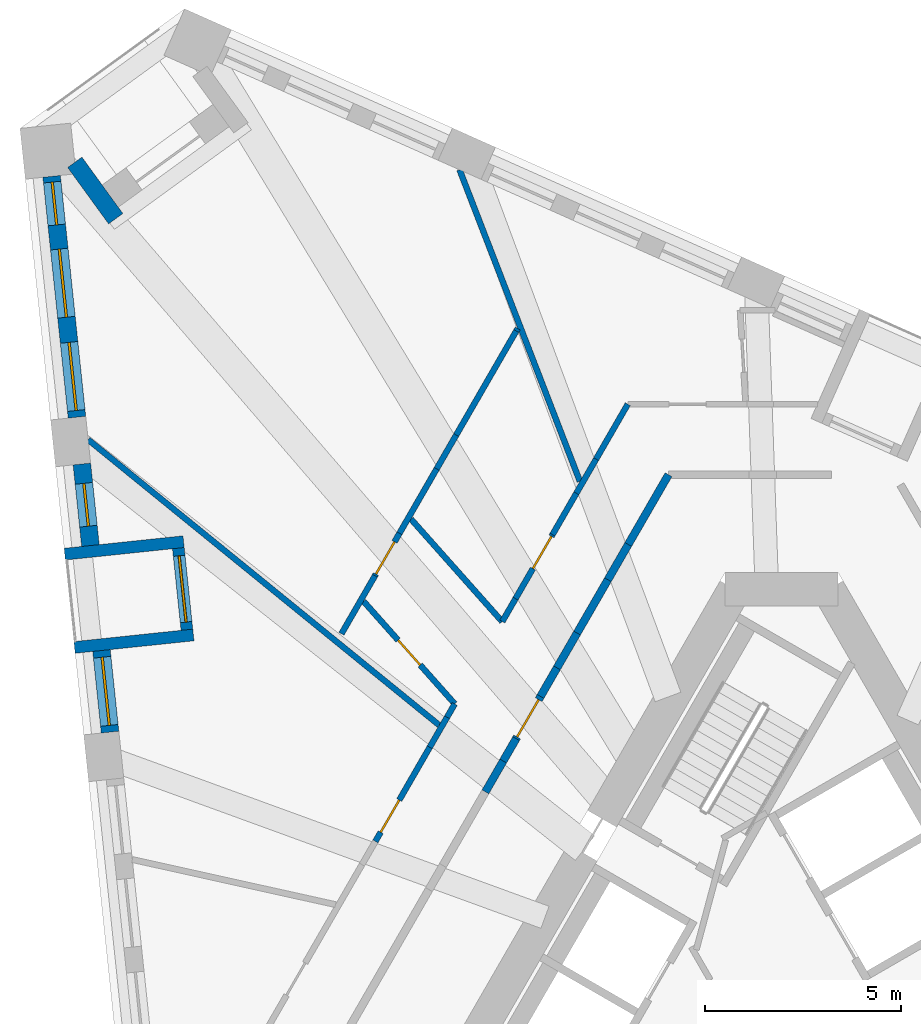
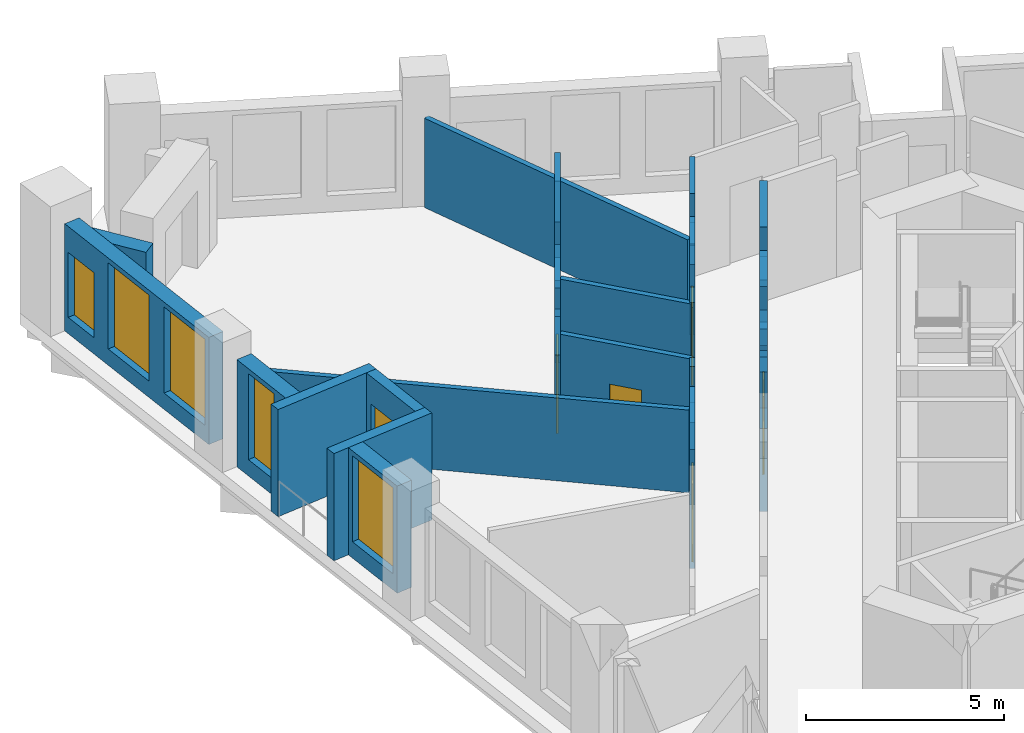
# One storey, part 7 of 14: 33 walls, 6 doors, 5 windows, 11 openings.
"""IFC4 building model written with IfcOpenShell, lengths in metres."""

from ifc_helpers import new_model, si_unit, direction, frame, frame_2d, origin, place, context, subcontext, project, spatial, polyline, rectangle, outline, extrude, material, layer, layer_set, type_object, element, fill, save


model = new_model("IFC4")

# Units and contexts
model_context = context("Model", 3, precision=1e-05, world=origin(), true_north=direction((0.0, 1.0)))
body_context = subcontext(model_context, "Body", "Model", "MODEL_VIEW")
ifc_project = project(units=[si_unit("LENGTHUNIT", "METRE"), si_unit("AREAUNIT", "SQUARE_METRE"), si_unit("VOLUMEUNIT", "CUBIC_METRE"), si_unit("PLANEANGLEUNIT", "RADIAN"), si_unit("MASSUNIT", "GRAM", prefix="KILO")], contexts=[model_context])

# Site, building, storey
site_placement = place(None, origin())
site = spatial("IfcSite", under=ifc_project, at=site_placement, CompositionType="ELEMENT")
building_placement = place(site_placement, origin())
building = spatial("IfcBuilding", under=site, at=building_placement, Name="Tramontana Tower", CompositionType="ELEMENT")
storey_placement = place(building_placement, frame((0.0, 0.0, 170.800048828125)))
storey = spatial("IfcBuildingStorey", under=building, at=storey_placement, Name="L39", CompositionType="ELEMENT", Elevation=170.800048828125)

# Walls
ifc_material_1 = material(Name="Blockwork", Category="masonry")
ifc_layer_1 = layer(ifc_material_1, 0.199951171875)
ifc_layer_set_1 = layer_set([ifc_layer_1], Name="ENTRY WALL 200")
wall_type_1 = type_object("IfcWallType", Name="ENTRY WALL 200", PredefinedType="SOLIDWALL", material=ifc_layer_set_1)
wall_1_placement = place(storey_placement, frame((-7.561279296875, 5.403564453125, 0.0), z_axis=(0.0, 0.0, 1.0), x_axis=(0.499977996243, 0.866038107287, 0.0)))
element("IfcWall", 1, at=wall_1_placement, inside=storey, type_object=wall_type_1, Name="Wall v40-ew4-5", PredefinedType="SOLIDWALL", context=body_context, shape_type="SweptSolid", body=[
    extrude(rectangle(XDim=0.90966796875, YDim=0.199951171875, at=frame_2d((0.454833984375, 0.0))), origin(), (0.0, 0.0, 1.0), 2.550048828125),
])
wall_2_placement = place(storey_placement, frame((-7.1064453125, 6.19140625, 0.0), z_axis=(0.0, 0.0, 1.0), x_axis=(0.500160401961, 0.865932775861, 0.0)))
element("IfcWall", 2, at=wall_2_placement, inside=storey, type_object=wall_type_1, Name="Wall v40-ew4-6", PredefinedType="SOLIDWALL", context=body_context, shape_type="SweptSolid", body=[
    extrude(rectangle(XDim=0.659423828125, YDim=0.199951171875, at=frame_2d((0.32958984375, 0.0))), origin(), (0.0, 0.0, 1.0), 3.64990234375),
])

# Wall, opening, door
wall_3_placement = place(storey_placement, frame((-6.776611328125, 6.762451171875, 0.0), z_axis=(0.0, 0.0, 1.0), x_axis=(0.499977039259, 0.866038659768, 0.0)))
wall_3 = element("IfcWall", 3, at=wall_3_placement, inside=storey, type_object=wall_type_1, Name="Wall v40-ew4-7", PredefinedType="SOLIDWALL", context=body_context, shape_type="SweptSolid", body=[
    extrude(outline(polyline([(0.0, 0.0), (1.2451171875, 0.0), (1.2451171875, 2.550048828125), (0.291748046875, 2.550048828125), (0.291748046875, 3.64990234375), (0.0, 3.64990234375), (0.0, 0.0)])), frame((0.0, 0.10009765625, 0.0), z_axis=(0.0, -1.0, 0.0), x_axis=(1.0, 0.0, 0.0)), (0.0, 0.0, 1.0), 0.199951171875),
])
opening_1_placement = place(wall_3_placement, frame((0.050048828125, 0.0, 0.0)))
opening_1 = element("IfcOpeningElement", 4, at=opening_1_placement, cuts=wall_3, Name="Opening B4A-22", PredefinedType="OPENING", context=body_context, shape_type="SweptSolid", body=[
    extrude(rectangle(XDim=1.10009765625, YDim=2.39990234375, at=frame_2d((0.550048828125, 1.199951171875))), frame((0.0, 0.10986328125, 0.0), z_axis=(0.0, -1.0, 0.0), x_axis=(1.0, 0.0, 0.0)), (0.0, 0.0, 1.0), 0.219970703125),
])
ifc_material_2 = material(Name="Painted timber", Category="wood")
door_type_1 = type_object("IfcDoorType", Name="DOOR ENTRY 1100", OperationType="SINGLE_SWING_LEFT", PredefinedType="DOOR", material=ifc_material_2)
door_1_placement = place(opening_1_placement, origin())
door_1 = element("IfcDoor", 5, at=door_1_placement, inside=storey, type_object=door_type_1, Name="Door B4A-22", OperationType="SINGLE_SWING_RIGHT", OverallHeight=2.39990234375, OverallWidth=1.10009765625, PredefinedType="DOOR", context=body_context, shape_type="SweptSolid", body=[
    extrude(rectangle(XDim=1.10009765625, YDim=2.39990234375, at=frame_2d((0.550048828125, 1.199951171875))), frame((0.0, 0.02490234375, 0.0), z_axis=(0.0, -1.0, 0.0), x_axis=(1.0, 0.0, 0.0)), (0.0, 0.0, 1.0), 0.050048828125),
])
fill(opening_1, door_1)

# Walls
wall_4_placement = place(storey_placement, frame((-6.154052734375, 7.8408203125, 0.0), z_axis=(0.0, 0.0, 1.0), x_axis=(0.499822960955, 0.8661275932, 0.0)))
element("IfcWall", 6, at=wall_4_placement, inside=storey, type_object=wall_type_1, Name="Wall v40-ew4-8", PredefinedType="SOLIDWALL", context=body_context, shape_type="SweptSolid", body=[
    extrude(rectangle(XDim=0.841064453125, YDim=0.199951171875, at=frame_2d((0.42041015625, 0.0))), origin(), (0.0, 0.0, 1.0), 3.64990234375),
])
wall_5_placement = place(storey_placement, frame((-5.733642578125, 8.5693359375, 0.0), z_axis=(0.0, 0.0, 1.0), x_axis=(0.500079402778, 0.865979555715, 0.0)))
element("IfcWall", 7, at=wall_5_placement, inside=storey, type_object=wall_type_1, Name="Wall v40-ew4-9", PredefinedType="SOLIDWALL", context=body_context, shape_type="SweptSolid", body=[
    extrude(rectangle(XDim=1.026123046875, YDim=0.199951171875, at=frame_2d((0.51318359375, 0.0))), origin(), (0.0, 0.0, 1.0), 2.550048828125),
])
wall_6_placement = place(storey_placement, frame((-5.220458984375, 9.4580078125, 0.0), z_axis=(0.0, 0.0, 1.0), x_axis=(0.500031717574, 0.86600709086, 0.0)))
element("IfcWall", 8, at=wall_6_placement, inside=storey, type_object=wall_type_1, Name="Wall v40-ew4-10", PredefinedType="SOLIDWALL", context=body_context, shape_type="SweptSolid", body=[
    extrude(rectangle(XDim=1.57177734375, YDim=0.199951171875, at=frame_2d((0.785888671875, 0.0))), origin(), (0.0, 0.0, 1.0), 3.64990234375),
])
wall_7_placement = place(storey_placement, frame((-4.4345703125, 10.819091796875, 0.0), z_axis=(0.0, 0.0, 1.0), x_axis=(0.500054530113, 0.86599391852, 0.0)))
element("IfcWall", 9, at=wall_7_placement, inside=storey, type_object=wall_type_1, Name="Wall v40-ew4-11", PredefinedType="SOLIDWALL", context=body_context, shape_type="SweptSolid", body=[
    extrude(rectangle(XDim=1.03955078125, YDim=0.199951171875, at=frame_2d((0.519775390625, 0.0))), origin(), (0.0, 0.0, 1.0), 2.75),
])
wall_8_placement = place(storey_placement, frame((-3.914794921875, 11.71923828125, 0.0), z_axis=(0.0, 0.0, 1.0), x_axis=(0.499982825521, 0.866035319247, 0.0)))
element("IfcWall", 10, at=wall_8_placement, inside=storey, type_object=wall_type_1, Name="Wall v40-ew4-12", PredefinedType="SOLIDWALL", context=body_context, shape_type="SweptSolid", body=[
    extrude(rectangle(XDim=2.05615234375, YDim=0.199951171875, at=frame_2d((1.028076171875, 0.0))), origin(), (0.0, 0.0, 1.0), 3.64990234375),
])

# Wall, openings, windows
ifc_material_3 = material(Name="Precast concrete 60 MPa", Category="concrete")
ifc_layer_2 = layer(ifc_material_3, 0.449951171875)
ifc_layer_set_2 = layer_set([ifc_layer_2], Name="Precast concrete 60 MPa, 450 mm")
wall_type_2 = type_object("IfcWallType", Name="EW1 Stone-faced precast wall 450", PredefinedType="SOLIDWALL", material=ifc_layer_set_2)
wall_9_placement = place(storey_placement, frame((-18.63427734375, 21.116455078125, 0.0), z_axis=(0.0, 0.0, 1.0), x_axis=(0.104522399115, -0.994522532718, 0.0)))
wall_9 = element("IfcWall", 11, at=wall_9_placement, inside=storey, type_object=wall_type_2, Name="External wall L39 face 0 bay 1", PredefinedType="SOLIDWALL", context=body_context, shape_type="SweptSolid", body=[
    extrude(rectangle(XDim=6.182861328125, YDim=0.449951171875, at=frame_2d((3.09130859375, 0.0))), origin(), (0.0, 0.0, 1.0), 3.300048828125),
])
opening_2_placement = place(wall_9_placement, frame((0.147216796875, 0.0, 0.5)))
opening_2 = element("IfcOpeningElement", 12, at=opening_2_placement, cuts=wall_9, Name="Opening N2L", PredefinedType="OPENING", context=body_context, shape_type="SweptSolid", body=[
    extrude(rectangle(XDim=1.10009765625, YDim=2.0, at=frame_2d((0.550048828125, 1.0))), frame((0.0, 0.23486328125, 0.0), z_axis=(0.0, -1.0, 0.0), x_axis=(1.0, 0.0, 0.0)), (0.0, 0.0, 1.0), 0.469970703125),
])
opening_3_placement = place(wall_9_placement, frame((1.866455078125, 0.0, 0.5)))
opening_3 = element("IfcOpeningElement", 13, at=opening_3_placement, cuts=wall_9, Name="Opening M2", PredefinedType="OPENING", context=body_context, shape_type="SweptSolid", body=[
    extrude(rectangle(XDim=1.75, YDim=2.64990234375, at=frame_2d((0.875, 1.324951171875))), frame((0.0, 0.23486328125, 0.0), z_axis=(0.0, -1.0, 0.0), x_axis=(1.0, 0.0, 0.0)), (0.0, 0.0, 1.0), 0.469970703125),
])
opening_4_placement = place(wall_9_placement, frame((4.2607421875, 0.0, 0.5)))
opening_4 = element("IfcOpeningElement", 14, at=opening_4_placement, cuts=wall_9, Name="Opening M2", PredefinedType="OPENING", context=body_context, shape_type="SweptSolid", body=[
    extrude(rectangle(XDim=1.75, YDim=2.64990234375, at=frame_2d((0.875, 1.324951171875))), frame((0.0, 0.23486328125, 0.0), z_axis=(0.0, -1.0, 0.0), x_axis=(1.0, 0.0, 0.0)), (0.0, 0.0, 1.0), 0.469970703125),
])
ifc_material_4 = material(Name="Aluminum frame, double glazing unit", Category="aluminium")
window_type_1 = type_object("IfcWindowType", Name="M2 Window 1.75 x 2.65", PartitioningType="SINGLE_PANEL", PredefinedType="WINDOW", material=ifc_material_4)
window_1_placement = place(opening_3_placement, origin())
window_1 = element("IfcWindow", 15, at=window_1_placement, inside=storey, type_object=window_type_1, Name="Window M2 L39 face 0 module 2", OverallHeight=2.64990234375, OverallWidth=1.75, PartitioningType="SINGLE_PANEL", PredefinedType="WINDOW", context=body_context, shape_type="SweptSolid", body=[
    extrude(rectangle(XDim=1.75, YDim=2.64990234375, at=frame_2d((0.875, 1.324951171875))), frame((0.0, 0.030029296875, 0.0), z_axis=(0.0, -1.0, 0.0), x_axis=(1.0, 0.0, 0.0)), (0.0, 0.0, 1.0), 0.06005859375),
])
fill(opening_3, window_1)
window_2_placement = place(opening_4_placement, origin())
window_2 = element("IfcWindow", 16, at=window_2_placement, inside=storey, type_object=window_type_1, Name="Window M2 L39 face 0 module 3", OverallHeight=2.64990234375, OverallWidth=1.75, PartitioningType="SINGLE_PANEL", PredefinedType="WINDOW", context=body_context, shape_type="SweptSolid", body=[
    extrude(rectangle(XDim=1.75, YDim=2.64990234375, at=frame_2d((0.875, 1.324951171875))), frame((0.0, 0.030029296875, 0.0), z_axis=(0.0, -1.0, 0.0), x_axis=(1.0, 0.0, 0.0)), (0.0, 0.0, 1.0), 0.06005859375),
])
fill(opening_4, window_2)
ifc_material_5 = material(Name="Aluminum frame, double glazing unit", Category="aluminium")
window_type_2 = type_object("IfcWindowType", Name="N2L Window 1.1 x 2", PartitioningType="SINGLE_PANEL", PredefinedType="WINDOW", material=ifc_material_5)
window_3_placement = place(opening_2_placement, origin())
window_3 = element("IfcWindow", 17, at=window_3_placement, inside=storey, type_object=window_type_2, Name="Window N2L L39 face 0 module 1", OverallHeight=2.0, OverallWidth=1.10009765625, PartitioningType="SINGLE_PANEL", PredefinedType="WINDOW", context=body_context, shape_type="SweptSolid", body=[
    extrude(rectangle(XDim=1.10009765625, YDim=2.0, at=frame_2d((0.550048828125, 1.0))), frame((0.0, 0.030029296875, 0.0), z_axis=(0.0, -1.0, 0.0), x_axis=(1.0, 0.0, 0.0)), (0.0, 0.0, 1.0), 0.06005859375),
])
fill(opening_2, window_3)

# Wall, opening, window
wall_10_placement = place(storey_placement, frame((-17.862548828125, 13.774169921875, 0.0), z_axis=(0.0, 0.0, 1.0), x_axis=(0.104442071108, -0.994530971756, 0.0)))
wall_10 = element("IfcWall", 18, at=wall_10_placement, inside=storey, type_object=wall_type_2, Name="External wall L39 face 0 bay 2", PredefinedType="SOLIDWALL", context=body_context, shape_type="SweptSolid", body=[
    extrude(rectangle(XDim=2.094482421875, YDim=0.449951171875, at=frame_2d((1.04736328125, 0.0))), origin(), (0.0, 0.0, 1.0), 3.300048828125),
])
opening_5_placement = place(wall_10_placement, frame((0.4970703125, 0.0, 0.5)))
opening_5 = element("IfcOpeningElement", 19, at=opening_5_placement, cuts=wall_10, Name="Opening N2", PredefinedType="OPENING", context=body_context, shape_type="SweptSolid", body=[
    extrude(rectangle(XDim=1.10009765625, YDim=2.64990234375, at=frame_2d((0.550048828125, 1.324951171875))), frame((0.0, 0.23486328125, 0.0), z_axis=(0.0, -1.0, 0.0), x_axis=(1.0, 0.0, 0.0)), (0.0, 0.0, 1.0), 0.469970703125),
])
ifc_material_6 = material(Name="Aluminum frame, double glazing unit", Category="aluminium")
window_type_3 = type_object("IfcWindowType", Name="N2 Window 1.1 x 2.65", PartitioningType="SINGLE_PANEL", PredefinedType="WINDOW", material=ifc_material_6)
window_4_placement = place(opening_5_placement, origin())
window_4 = element("IfcWindow", 20, at=window_4_placement, inside=storey, type_object=window_type_3, Name="Window N2 L39 face 0 module 4", OverallHeight=2.64990234375, OverallWidth=1.10009765625, PartitioningType="SINGLE_PANEL", PredefinedType="WINDOW", context=body_context, shape_type="SweptSolid", body=[
    extrude(rectangle(XDim=1.10009765625, YDim=2.64990234375, at=frame_2d((0.550048828125, 1.324951171875))), frame((0.0, 0.030029296875, 0.0), z_axis=(0.0, -1.0, 0.0), x_axis=(1.0, 0.0, 0.0)), (0.0, 0.0, 1.0), 0.06005859375),
])
fill(opening_5, window_4)

wall_11_placement = place(storey_placement, frame((-17.362060546875, 9.01171875, 0.0), z_axis=(0.0, 0.0, 1.0), x_axis=(0.104569484464, -0.994517583011, 0.0)))
wall_11 = element("IfcWall", 21, at=wall_11_placement, inside=storey, type_object=wall_type_2, Name="External wall L39 face 0 bay 2", PredefinedType="SOLIDWALL", context=body_context, shape_type="SweptSolid", body=[
    extrude(rectangle(XDim=2.09423828125, YDim=0.449951171875, at=frame_2d((1.047119140625, 0.0))), origin(), (0.0, 0.0, 1.0), 3.300048828125),
])
opening_6_placement = place(wall_11_placement, frame((0.172119140625, 0.0, 0.5)))
opening_6 = element("IfcOpeningElement", 22, at=opening_6_placement, cuts=wall_11, Name="Opening M2", PredefinedType="OPENING", context=body_context, shape_type="SweptSolid", body=[
    extrude(rectangle(XDim=1.75, YDim=2.64990234375, at=frame_2d((0.875, 1.324951171875))), frame((0.0, 0.23486328125, 0.0), z_axis=(0.0, -1.0, 0.0), x_axis=(1.0, 0.0, 0.0)), (0.0, 0.0, 1.0), 0.469970703125),
])
window_5_placement = place(opening_6_placement, origin())
window_5 = element("IfcWindow", 23, at=window_5_placement, inside=storey, type_object=window_type_1, Name="Window M2 L39 face 0 module 6", OverallHeight=2.64990234375, OverallWidth=1.75, PartitioningType="SINGLE_PANEL", PredefinedType="WINDOW", context=body_context, shape_type="SweptSolid", body=[
    extrude(rectangle(XDim=1.75, YDim=2.64990234375, at=frame_2d((0.875, 1.324951171875))), frame((0.0, 0.030029296875, 0.0), z_axis=(0.0, -1.0, 0.0), x_axis=(1.0, 0.0, 0.0)), (0.0, 0.0, 1.0), 0.06005859375),
])
fill(opening_6, window_5)

# Wall
wall_12_placement = place(storey_placement, frame((-18.04345703125, 21.474853515625, 0.0), z_axis=(0.0, 0.0, 1.0), x_axis=(0.587722853316, -0.809062326209, 0.0)))
element("IfcWall", 24, at=wall_12_placement, inside=storey, type_object=wall_type_2, Name="Corner loggia side wall L39 K40l", PredefinedType="SOLIDWALL", context=body_context, shape_type="SweptSolid", body=[
    extrude(rectangle(XDim=1.779052734375, YDim=0.449951171875, at=frame_2d((0.8896484375, 0.0))), origin(), (0.0, 0.0, 1.0), 2.550048828125),
])

# Wall, opening, door
ifc_material_7 = material(Name="Precast concrete 60 MPa", Category="concrete")
ifc_layer_3 = layer(ifc_material_7, 0.300048828125)
ifc_layer_set_3 = layer_set([ifc_layer_3], Name="LW1 Stone-faced loggia wall 300")
wall_type_3 = type_object("IfcWallType", Name="LW1 Stone-faced loggia wall 300", PredefinedType="SOLIDWALL", material=ifc_layer_set_3)
wall_13_placement = place(storey_placement, frame((-15.399658203125, 11.62548828125, 0.0), z_axis=(0.0, 0.0, 1.0), x_axis=(0.104569484464, -0.994517583011, 0.0)))
wall_13 = element("IfcWall", 25, at=wall_13_placement, inside=storey, type_object=wall_type_3, Name="Loggia wall L39 G4S0.4", PredefinedType="SOLIDWALL", context=body_context, shape_type="SweptSolid", body=[
    extrude(rectangle(XDim=2.09423828125, YDim=0.300048828125, at=frame_2d((1.047119140625, 0.0))), origin(), (0.0, 0.0, 1.0), 3.300048828125),
])
opening_7_placement = place(wall_13_placement, frame((0.197265625, 0.0, 0.0)))
opening_7 = element("IfcOpeningElement", 26, at=opening_7_placement, cuts=wall_13, Name="Opening BD-4S0-04", PredefinedType="OPENING", context=body_context, shape_type="SweptSolid", body=[
    extrude(rectangle(XDim=1.699951171875, YDim=2.449951171875, at=frame_2d((0.85009765625, 1.22509765625))), frame((0.0, 0.159912109375, 0.0), z_axis=(0.0, -1.0, 0.0), x_axis=(1.0, 0.0, 0.0)), (0.0, 0.0, 1.0), 0.320068359375),
])
ifc_material_8 = material(Name="Aluminum frame, double glazing unit", Category="aluminium")
door_type_2 = type_object("IfcDoorType", Name="BD2 Sliding door 1.7 x 2.45", OperationType="SLIDING_TO_LEFT", PredefinedType="DOOR", material=ifc_material_8)
door_2_placement = place(opening_7_placement, origin())
door_2 = element("IfcDoor", 27, at=door_2_placement, inside=storey, type_object=door_type_2, Name="Loggia door L39 G4S0.4", OperationType="SLIDING_TO_LEFT", OverallHeight=2.449951171875, OverallWidth=1.699951171875, PredefinedType="DOOR", context=body_context, shape_type="SweptSolid", body=[
    extrude(rectangle(XDim=1.699951171875, YDim=2.449951171875, at=frame_2d((0.85009765625, 1.22509765625))), frame((0.0, 0.02490234375, 0.0), z_axis=(0.0, -1.0, 0.0), x_axis=(1.0, 0.0, 0.0)), (0.0, 0.0, 1.0), 0.050048828125),
])
fill(opening_7, door_2)

# Walls
for number, where, z_axis, x_axis, name in (
    (28, (-18.29931640625, 11.471435546875, 0.0), (0.0, 0.0, 1.0), (0.994520355942, 0.104543108891, 0.0), "Loggia return L39 G4S0.4a"),
    (29, (-18.049072265625, 9.09033203125, 0.0), (0.0, 0.0, 1.0), (0.994520355942, 0.104543108891, 0.0), "Loggia return L39 G4S0.4b"),
):
    element("IfcWall", number, at=place(storey_placement, frame(where, z_axis=z_axis, x_axis=x_axis)), inside=storey, type_object=wall_type_3, Name=name, PredefinedType="SOLIDWALL", context=body_context, shape_type="SweptSolid", body=[
        extrude(rectangle(XDim=3.0498046875, YDim=0.300048828125, at=frame_2d((1.52490234375, 0.0))), origin(), (0.0, 0.0, 1.0), 3.300048828125),
    ])

# Wall, opening, door
ifc_material_9 = material(Name="Gypsum board partition")
ifc_layer_4 = layer(ifc_material_9, 0.14990234375)
ifc_layer_set_4 = layer_set([ifc_layer_4], Name="PARTITION 150")
wall_type_4 = type_object("IfcWallType", Name="PARTITION 150", PredefinedType="PARTITIONING", material=ifc_layer_set_4)
wall_14_placement = place(storey_placement, frame((-10.369384765625, 4.1396484375, 0.0), z_axis=(0.0, 0.0, 1.0), x_axis=(0.50000932403, 0.866020020486, 0.0)))
wall_14 = element("IfcWall", 30, at=wall_14_placement, inside=storey, type_object=wall_type_4, Name="Wall v40-pw03-3", PredefinedType="PARTITIONING", context=body_context, shape_type="SweptSolid", body=[
    extrude(rectangle(XDim=2.77490234375, YDim=0.14990234375, at=frame_2d((1.387451171875, 0.0))), origin(), (0.0, 0.0, 1.0), 3.64990234375),
])
opening_8_placement = place(wall_14_placement, frame((0.269775390625, 0.0, 0.0)))
opening_8 = element("IfcOpeningElement", 31, at=opening_8_placement, cuts=wall_14, Name="Opening B4A-05", PredefinedType="OPENING", context=body_context, shape_type="SweptSolid", body=[
    extrude(rectangle(XDim=0.949951171875, YDim=2.39990234375, at=frame_2d((0.47509765625, 1.199951171875))), frame((0.0, 0.0849609375, 0.0), z_axis=(0.0, -1.0, 0.0), x_axis=(1.0, 0.0, 0.0)), (0.0, 0.0, 1.0), 0.169921875),
])
ifc_material_10 = material(Name="Painted timber", Category="wood")
door_type_3 = type_object("IfcDoorType", Name="DOOR ROOM 950", OperationType="SINGLE_SWING_LEFT", PredefinedType="DOOR", material=ifc_material_10)
door_3_placement = place(opening_8_placement, origin())
door_3 = element("IfcDoor", 32, at=door_3_placement, inside=storey, type_object=door_type_3, Name="Door B4A-05", OperationType="SINGLE_SWING_LEFT", OverallHeight=2.39990234375, OverallWidth=0.949951171875, PredefinedType="DOOR", context=body_context, shape_type="SweptSolid", body=[
    extrude(rectangle(XDim=0.949951171875, YDim=2.39990234375, at=frame_2d((0.47509765625, 1.199951171875))), frame((0.0, 0.02490234375, 0.0), z_axis=(0.0, -1.0, 0.0), x_axis=(1.0, 0.0, 0.0)), (0.0, 0.0, 1.0), 0.050048828125),
])
fill(opening_8, door_3)

# Walls
wall_15_placement = place(storey_placement, frame((-8.98193359375, 6.542724609375, 0.0), z_axis=(0.0, 0.0, 1.0), x_axis=(0.499969398072, 0.866043071095, 0.0)))
element("IfcWall", 33, at=wall_15_placement, inside=storey, type_object=wall_type_4, Name="Wall v40-pw03-4", PredefinedType="PARTITIONING", context=body_context, shape_type="SweptSolid", body=[
    extrude(rectangle(XDim=0.88427734375, YDim=0.14990234375, at=frame_2d((0.442138671875, 0.0))), origin(), (0.0, 0.0, 1.0), 2.550048828125),
])
wall_16_placement = place(storey_placement, frame((-8.539794921875, 7.30859375, 0.0), z_axis=(0.0, 0.0, 1.0), x_axis=(0.499758416753, 0.866164837017, 0.0)))
element("IfcWall", 34, at=wall_16_placement, inside=storey, type_object=wall_type_4, Name="Wall v40-pw03-5", PredefinedType="PARTITIONING", context=body_context, shape_type="SweptSolid", body=[
    extrude(rectangle(XDim=0.391845703125, YDim=0.14990234375, at=frame_2d((0.19580078125, 0.0))), origin(), (0.0, 0.0, 1.0), 3.64990234375),
])
wall_17_placement = place(storey_placement, frame((-11.2353515625, 9.439697265625, 0.0), z_axis=(0.0, 0.0, 1.0), x_axis=(0.499977863513, 0.866038183914, 0.0)))
element("IfcWall", 35, at=wall_17_placement, inside=storey, type_object=wall_type_4, Name="Wall v40-pw06-1", PredefinedType="PARTITIONING", context=body_context, shape_type="SweptSolid", body=[
    extrude(rectangle(XDim=1.7099609375, YDim=0.14990234375, at=frame_2d((0.85498046875, 0.0))), origin(), (0.0, 0.0, 1.0), 3.64990234375),
])

# Wall, opening, door
wall_18_placement = place(storey_placement, frame((-10.38037109375, 10.920654296875, 0.0), z_axis=(0.0, 0.0, 1.0), x_axis=(0.499998165157, 0.866026463129, 0.0)))
wall_18 = element("IfcWall", 36, at=wall_18_placement, inside=storey, type_object=wall_type_4, Name="Wall v40-pw06-2", PredefinedType="PARTITIONING", context=body_context, shape_type="SweptSolid", body=[
    extrude(outline(polyline([(0.0, 0.0), (1.251953125, 0.0), (1.252197265625, 2.550048828125), (0.3251953125, 2.550048828125), (0.3251953125, 3.64990234375), (0.0, 3.64990234375), (0.0, 0.0)])), frame((0.0, 0.074951171875, 0.0), z_axis=(0.0, -1.0, 0.0), x_axis=(1.0, 0.0, 0.0)), (0.0, 0.0, 1.0), 0.14990234375),
])
opening_9_placement = place(wall_18_placement, frame((0.050048828125, 0.0, 0.0)))
opening_9 = element("IfcOpeningElement", 37, at=opening_9_placement, cuts=wall_18, Name="Opening B4A-03", PredefinedType="OPENING", context=body_context, shape_type="SweptSolid", body=[
    extrude(rectangle(XDim=0.949951171875, YDim=2.39990234375, at=frame_2d((0.47509765625, 1.199951171875))), frame((0.0, 0.0849609375, 0.0), z_axis=(0.0, -1.0, 0.0), x_axis=(1.0, 0.0, 0.0)), (0.0, 0.0, 1.0), 0.169921875),
])
door_4_placement = place(opening_9_placement, origin())
door_4 = element("IfcDoor", 38, at=door_4_placement, inside=storey, type_object=door_type_3, Name="Door B4A-03", OperationType="SINGLE_SWING_LEFT", OverallHeight=2.39990234375, OverallWidth=0.949951171875, PredefinedType="DOOR", context=body_context, shape_type="SweptSolid", body=[
    extrude(rectangle(XDim=0.949951171875, YDim=2.39990234375, at=frame_2d((0.47509765625, 1.199951171875))), frame((0.0, 0.02490234375, 0.0), z_axis=(0.0, -1.0, 0.0), x_axis=(1.0, 0.0, 0.0)), (0.0, 0.0, 1.0), 0.050048828125),
])
fill(opening_9, door_4)

# Walls
wall_19_placement = place(storey_placement, frame((-9.75439453125, 12.0048828125, 0.0), z_axis=(0.0, 0.0, 1.0), x_axis=(0.499971120268, 0.866042076863, 0.0)))
element("IfcWall", 39, at=wall_19_placement, inside=storey, type_object=wall_type_4, Name="Wall v40-pw06-3", PredefinedType="PARTITIONING", context=body_context, shape_type="SweptSolid", body=[
    extrude(rectangle(XDim=1.89794921875, YDim=0.14990234375, at=frame_2d((0.948974609375, 0.0))), origin(), (0.0, 0.0, 1.0), 3.64990234375),
])
wall_20_placement = place(storey_placement, frame((-8.805419921875, 13.648681640625, 0.0), z_axis=(0.0, 0.0, 1.0), x_axis=(0.499955472713, 0.866051110099, 0.0)))
element("IfcWall", 40, at=wall_20_placement, inside=storey, type_object=wall_type_4, Name="Wall v40-pw06-4", PredefinedType="PARTITIONING", context=body_context, shape_type="SweptSolid", body=[
    extrude(rectangle(XDim=0.99755859375, YDim=0.14990234375, at=frame_2d((0.498779296875, 0.0))), origin(), (0.0, 0.0, 1.0), 2.550048828125),
])
wall_21_placement = place(storey_placement, frame((-8.306640625, 14.5126953125, 0.0), z_axis=(0.0, 0.0, 1.0), x_axis=(0.500034855457, 0.866005279042, 0.0)))
element("IfcWall", 41, at=wall_21_placement, inside=storey, type_object=wall_type_4, Name="Wall v40-pw06-5", PredefinedType="PARTITIONING", context=body_context, shape_type="SweptSolid", body=[
    extrude(rectangle(XDim=3.066650390625, YDim=0.14990234375, at=frame_2d((1.533203125, 0.0))), origin(), (0.0, 0.0, 1.0), 3.64990234375),
])
wall_22_placement = place(storey_placement, frame((-6.773193359375, 17.16845703125, 0.0), z_axis=(0.0, 0.0, 1.0), x_axis=(0.501423782413, 0.865201820635, 0.0)))
element("IfcWall", 42, at=wall_22_placement, inside=storey, type_object=wall_type_4, Name="Wall v40-pw06-6", PredefinedType="PARTITIONING", context=body_context, shape_type="SweptSolid", body=[
    extrude(rectangle(XDim=0.074462890625, YDim=0.14990234375, at=frame_2d((0.037109375, 0.0))), origin(), (0.0, 0.0, 1.0), 2.75),
])
wall_23_placement = place(storey_placement, frame((-9.459228515625, 12.36572265625, 0.0), z_axis=(0.0, 0.0, 1.0), x_axis=(0.664589031093, -0.747209087037, 0.0)))
element("IfcWall", 43, at=wall_23_placement, inside=storey, type_object=wall_type_4, Name="Wall v40-pw09", PredefinedType="PARTITIONING", context=body_context, shape_type="SweptSolid", body=[
    extrude(rectangle(XDim=3.498779296875, YDim=0.14990234375, at=frame_2d((1.74951171875, 0.0))), origin(), (0.0, 0.0, 1.0), 3.64990234375),
])
wall_24_placement = place(storey_placement, frame((-8.741943359375, 7.108642578125, 0.0), z_axis=(0.0, 0.0, 1.0), x_axis=(-0.775864969599, 0.630899000593, 0.0)))
element("IfcWall", 44, at=wall_24_placement, inside=storey, type_object=wall_type_4, Name="Wall v40-pw10-0", PredefinedType="PARTITIONING", context=body_context, shape_type="SweptSolid", body=[
    extrude(rectangle(XDim=11.548095703125, YDim=0.14990234375, at=frame_2d((5.77392578125, 0.0))), origin(), (0.0, 0.0, 1.0), 2.550048828125),
])

# Wall, opening, door
wall_25_placement = place(storey_placement, frame((-8.34423828125, 7.6513671875, 0.0), z_axis=(0.0, 0.0, 1.0), x_axis=(-0.664580231794, 0.747216913292, 0.0)))
wall_25 = element("IfcWall", 45, at=wall_25_placement, inside=storey, type_object=wall_type_4, Name="Wall v40-pw11", PredefinedType="PARTITIONING", context=body_context, shape_type="SweptSolid", body=[
    extrude(rectangle(XDim=3.5009765625, YDim=0.14990234375, at=frame_2d((1.75048828125, 0.0))), origin(), (0.0, 0.0, 1.0), 3.64990234375),
])
opening_10_placement = place(wall_25_placement, frame((1.325439453125, 0.0, 0.0)))
opening_10 = element("IfcOpeningElement", 46, at=opening_10_placement, cuts=wall_25, Name="Opening B4A-02", PredefinedType="OPENING", context=body_context, shape_type="SweptSolid", body=[
    extrude(rectangle(XDim=0.85009765625, YDim=2.39990234375, at=frame_2d((0.425048828125, 1.199951171875))), frame((0.0, 0.0849609375, 0.0), z_axis=(0.0, -1.0, 0.0), x_axis=(1.0, 0.0, 0.0)), (0.0, 0.0, 1.0), 0.169921875),
])
ifc_material_11 = material(Name="Painted timber", Category="wood")
door_type_4 = type_object("IfcDoorType", Name="DOOR BATH 850", OperationType="SINGLE_SWING_LEFT", PredefinedType="DOOR", material=ifc_material_11)
door_5_placement = place(opening_10_placement, origin())
door_5 = element("IfcDoor", 47, at=door_5_placement, inside=storey, type_object=door_type_4, Name="Door B4A-02", OperationType="SINGLE_SWING_RIGHT", OverallHeight=2.39990234375, OverallWidth=0.85009765625, PredefinedType="DOOR", context=body_context, shape_type="SweptSolid", body=[
    extrude(rectangle(XDim=0.85009765625, YDim=2.39990234375, at=frame_2d((0.425048828125, 1.199951171875))), frame((0.0, 0.02490234375, 0.0), z_axis=(0.0, -1.0, 0.0), x_axis=(1.0, 0.0, 0.0)), (0.0, 0.0, 1.0), 0.050048828125),
])
fill(opening_10, door_5)

# Walls
wall_26_placement = place(storey_placement, frame((-8.2197265625, 21.283203125, 0.0), z_axis=(0.0, 0.0, 1.0), x_axis=(0.360262770677, -0.932850864857, 0.0)))
element("IfcWall", 48, at=wall_26_placement, inside=storey, type_object=wall_type_4, Name="Wall v40-pw12-0", PredefinedType="PARTITIONING", context=body_context, shape_type="SweptSolid", body=[
    extrude(rectangle(XDim=8.523681640625, YDim=0.14990234375, at=frame_2d((4.26171875, 0.0))), origin(), (0.0, 0.0, 1.0), 2.75),
])
wall_27_placement = place(storey_placement, frame((-7.129150390625, 9.751953125, 0.0), z_axis=(0.0, 0.0, 1.0), x_axis=(0.500036104519, 0.866004557827, 0.0)))
element("IfcWall", 49, at=wall_27_placement, inside=storey, type_object=wall_type_4, Name="Wall v40-pw13-0", PredefinedType="PARTITIONING", context=body_context, shape_type="SweptSolid", body=[
    extrude(rectangle(XDim=0.673828125, YDim=0.14990234375, at=frame_2d((0.3369140625, 0.0))), origin(), (0.0, 0.0, 1.0), 3.64990234375),
])

# Wall, opening, door
wall_28_placement = place(storey_placement, frame((-6.792236328125, 10.33544921875, 0.0), z_axis=(0.0, 0.0, 1.0), x_axis=(0.499991068497, 0.866030560329, 0.0)))
wall_28 = element("IfcWall", 50, at=wall_28_placement, inside=storey, type_object=wall_type_4, Name="Wall v40-pw13-1", PredefinedType="PARTITIONING", context=body_context, shape_type="SweptSolid", body=[
    extrude(outline(polyline([(0.0, 0.0), (1.88818359375, 0.0), (1.887939453125, 3.64990234375), (0.997802734375, 3.64990234375), (0.997802734375, 2.550048828125), (0.0, 2.550048828125), (0.0, 0.0)])), frame((0.0, 0.074951171875, 0.0), z_axis=(0.0, -1.0, 0.0), x_axis=(1.0, 0.0, 0.0)), (0.0, 0.0, 1.0), 0.14990234375),
])
opening_11_placement = place(wall_28_placement, frame((0.887939453125, 0.0, 0.0)))
opening_11 = element("IfcOpeningElement", 51, at=opening_11_placement, cuts=wall_28, Name="Opening B4A-01", PredefinedType="OPENING", context=body_context, shape_type="SweptSolid", body=[
    extrude(rectangle(XDim=0.949951171875, YDim=2.39990234375, at=frame_2d((0.47509765625, 1.199951171875))), frame((0.0, 0.0849609375, 0.0), z_axis=(0.0, -1.0, 0.0), x_axis=(1.0, 0.0, 0.0)), (0.0, 0.0, 1.0), 0.169921875),
])
door_6_placement = place(opening_11_placement, origin())
door_6 = element("IfcDoor", 52, at=door_6_placement, inside=storey, type_object=door_type_3, Name="Door B4A-01", OperationType="SINGLE_SWING_LEFT", OverallHeight=2.39990234375, OverallWidth=0.949951171875, PredefinedType="DOOR", context=body_context, shape_type="SweptSolid", body=[
    extrude(rectangle(XDim=0.949951171875, YDim=2.39990234375, at=frame_2d((0.47509765625, 1.199951171875))), frame((0.0, 0.02490234375, 0.0), z_axis=(0.0, -1.0, 0.0), x_axis=(1.0, 0.0, 0.0)), (0.0, 0.0, 1.0), 0.050048828125),
])
fill(opening_11, door_6)

# Walls
wall_29_placement = place(storey_placement, frame((-5.84814453125, 11.970703125, 0.0), z_axis=(0.0, 0.0, 1.0), x_axis=(0.500017246033, 0.866015446554, 0.0)))
element("IfcWall", 53, at=wall_29_placement, inside=storey, type_object=wall_type_4, Name="Wall v40-pw13-2", PredefinedType="PARTITIONING", context=body_context, shape_type="SweptSolid", body=[
    extrude(rectangle(XDim=1.21875, YDim=0.14990234375, at=frame_2d((0.609375, 0.0))), origin(), (0.0, 0.0, 1.0), 3.64990234375),
])
wall_30_placement = place(storey_placement, frame((-5.23876953125, 13.026123046875, 0.0), z_axis=(0.0, 0.0, 1.0), x_axis=(0.499946326053, 0.866056390234, 0.0)))
element("IfcWall", 54, at=wall_30_placement, inside=storey, type_object=wall_type_4, Name="Wall v40-pw13-3", PredefinedType="PARTITIONING", context=body_context, shape_type="SweptSolid", body=[
    extrude(rectangle(XDim=1.0068359375, YDim=0.14990234375, at=frame_2d((0.50341796875, 0.0))), origin(), (0.0, 0.0, 1.0), 2.75),
])
wall_31_placement = place(storey_placement, frame((-4.7353515625, 13.898193359375, 0.0), z_axis=(0.0, 0.0, 1.0), x_axis=(0.499983569942, 0.866034889475, 0.0)))
element("IfcWall", 55, at=wall_31_placement, inside=storey, type_object=wall_type_4, Name="Wall v40-pw13-4", PredefinedType="PARTITIONING", context=body_context, shape_type="SweptSolid", body=[
    extrude(rectangle(XDim=1.61865234375, YDim=0.14990234375, at=frame_2d((0.809326171875, 0.0))), origin(), (0.0, 0.0, 1.0), 3.64990234375),
])

save(model, "model.ifc")
